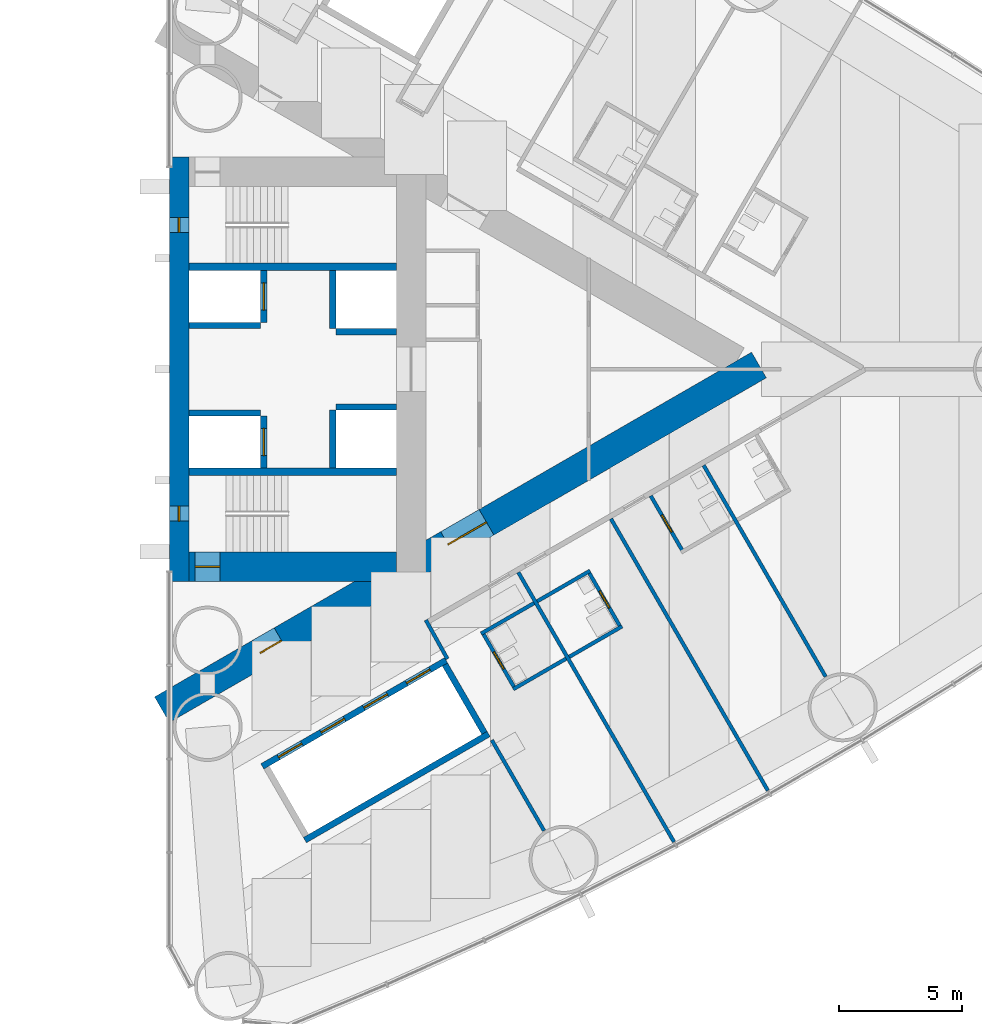
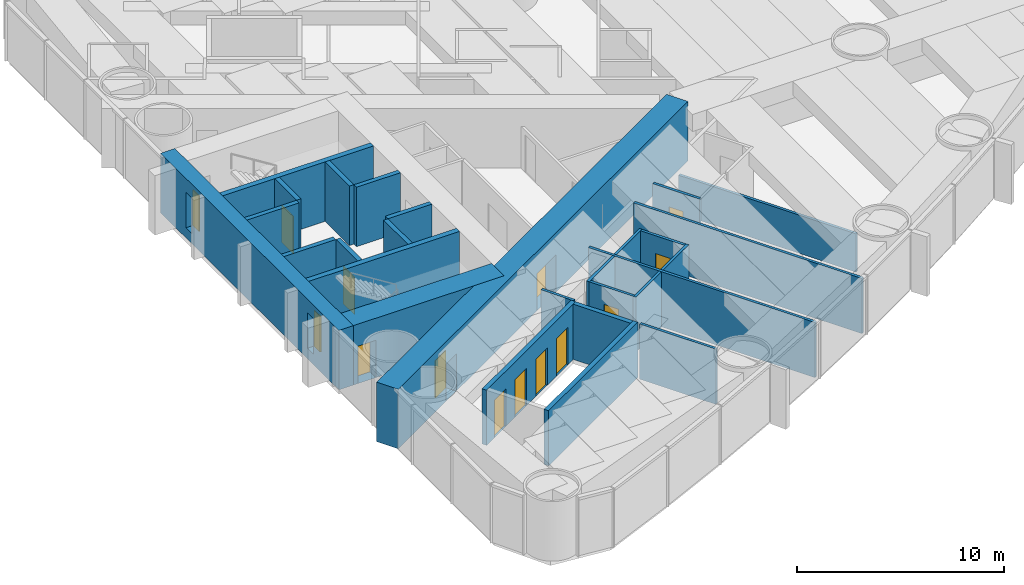
# One storey, part 14 of 19: 28 walls, 12 doors, 2 windows, 14 openings.
"""IFC4 building model written with IfcOpenShell, lengths in metres."""

import ifcopenshell
import ifcopenshell.guid

model = None  # the IFC model being written
_history = None  # IfcOwnerHistory: only IFC2X3 demands one
_inside = {}  # id of a spatial element -> (the spatial element, [elements in it])
_under = {}  # id of a project, library or spatial element -> (it, [spatial elements below it])
_declared = {}  # id of a project -> (the project, [libraries it declares])
_typed = {}  # id of a type object -> (the type object, [elements of that type])
_made_of = {}  # id of a material, layer set ... -> (it, [elements and type objects made of it])


def new_model(schema):
    """Start an empty IFC model of exactly this schema.

    Asked for "IFC4X3", IfcOpenShell would pick the latest addendum, in which some entities
    have other attributes; the version numbers below select the first issue.
    IFC2X3 requires an IfcOwnerHistory on every rooted entity: one is made here for all.
    """
    global model, _history
    if schema == "IFC4X3":
        model = ifcopenshell.file(schema_version=(4, 3, 0, 0))
    else:
        model = ifcopenshell.file(schema=schema)
    _inside.clear()
    _under.clear()
    _declared.clear()
    _typed.clear()
    _made_of.clear()
    _history = None
    if model.schema == "IFC2X3":
        org = make("IfcOrganization", Name="unknown")
        user = make(
            "IfcPersonAndOrganization",
            ThePerson=make("IfcPerson", FamilyName="unknown"),
            TheOrganization=org,
        )
        app = make(
            "IfcApplication",
            ApplicationDeveloper=org,
            Version="unknown",
            ApplicationFullName="unknown",
            ApplicationIdentifier="unknown",
        )
        _history = make(
            "IfcOwnerHistory",
            OwningUser=user,
            OwningApplication=app,
            ChangeAction="ADDED",
            CreationDate=0,
        )
    return model


def make(cls, **values):
    """One entity of the class cls with the attributes given. An attribute that is None is left unset."""
    return model.create_entity(
        cls, **{name: value for name, value in values.items() if value is not None}
    )


def rooted(cls, **values):
    """An entity with a GlobalId (a new one), such as an element, a storey or a relation."""
    return make(cls, GlobalId=ifcopenshell.guid.new(), OwnerHistory=_history, **values)


def si_unit(unit_type, name, prefix=None):
    """IfcSIUnit, for example si_unit("LENGTHUNIT", "METRE", prefix="MILLI")."""
    return make("IfcSIUnit", UnitType=unit_type, Prefix=prefix, Name=name)


def assignment(units):
    """IfcUnitAssignment: the units of a project."""
    return None if units is None else make("IfcUnitAssignment", Units=units)


def point(xyz):
    """IfcCartesianPoint."""
    return None if xyz is None else make("IfcCartesianPoint", Coordinates=xyz)


def direction(xyz):
    """IfcDirection."""
    return None if xyz is None else make("IfcDirection", DirectionRatios=xyz)


def frame(location, z_axis=None, x_axis=None):
    """IfcAxis2Placement3D, a coordinate frame: its origin and axes. An axis left out is left unset."""
    return make(
        "IfcAxis2Placement3D",
        Location=point(location),
        Axis=direction(z_axis),
        RefDirection=direction(x_axis),
    )


def frame_2d(location, x_axis=None):
    """IfcAxis2Placement2D, a coordinate frame in the plane: its origin and x axis."""
    return make(
        "IfcAxis2Placement2D", Location=point(location), RefDirection=direction(x_axis)
    )


def origin():
    """The frame at (0, 0, 0) with its axes left unset."""
    return frame((0.0, 0.0, 0.0))


def place(relative_to, where):
    """IfcLocalPlacement: puts the frame where relative to a parent placement (None: the world)."""
    return make(
        "IfcLocalPlacement", PlacementRelTo=relative_to, RelativePlacement=where
    )


def context(
    kind, dimensions, precision=None, world=None, true_north=None, identifier=None
):
    """IfcGeometricRepresentationContext, for example the 3D "Model" context."""
    return make(
        "IfcGeometricRepresentationContext",
        ContextIdentifier=identifier,
        ContextType=kind,
        CoordinateSpaceDimension=dimensions,
        Precision=precision,
        WorldCoordinateSystem=world,
        TrueNorth=true_north,
    )


def subcontext(parent, identifier, kind, view, scale=None):
    """IfcGeometricRepresentationSubContext, for example "Body" below "Model"."""
    return make(
        "IfcGeometricRepresentationSubContext",
        ContextIdentifier=identifier,
        ContextType=kind,
        ParentContext=parent,
        TargetScale=scale,
        TargetView=view,
    )


def project(units=None, contexts=None):
    """IfcProject with its units and contexts."""
    return rooted(
        "IfcProject",
        Name="project",
        RepresentationContexts=contexts,
        UnitsInContext=assignment(units),
    )


def spatial(cls, under=None, at=None, **own):
    """A site, building, storey or space (cls), placed at a placement, below another one or the project."""
    s = rooted(cls, ObjectPlacement=at, **own)
    if under is not None:
        _under.setdefault(under.id(), (under, []))[1].append(s)
    return s


def profile(cls, at=None, kind="AREA", **sizes):
    """A parametric profile (cls). Its sizes go by their IFC names, for example OverallWidth=200.0."""
    return make(cls, ProfileType=kind, Position=at, **sizes)


def rectangle(**sizes):
    """IfcRectangleProfileDef."""
    return profile("IfcRectangleProfileDef", **sizes)


def extrude(swept, where, along, depth):
    """IfcExtrudedAreaSolid: the profile swept, set in the frame where, extruded along a direction by depth."""
    return make(
        "IfcExtrudedAreaSolid",
        SweptArea=swept,
        Position=where,
        ExtrudedDirection=direction(along),
        Depth=depth,
    )


def shape(context_of_items, identifier, shape_type, items):
    """IfcShapeRepresentation: the items that make up one representation, for example the "Body"."""
    return make(
        "IfcShapeRepresentation",
        ContextOfItems=context_of_items,
        RepresentationIdentifier=identifier,
        RepresentationType=shape_type,
        Items=items,
    )


def material(Name=None, Category=None):
    """IfcMaterial."""
    return make("IfcMaterial", Name=Name, Category=Category)


def layer(
    of_material, thickness, ventilated=None, Name=None, Category=None, Priority=None
):
    """IfcMaterialLayer: one layer of a wall or slab, of a material (None: an air gap)."""
    return make(
        "IfcMaterialLayer",
        Material=of_material,
        LayerThickness=thickness,
        IsVentilated=ventilated,
        Name=Name,
        Category=Category,
        Priority=Priority,
    )


def layer_set(layers, Name=None):
    """IfcMaterialLayerSet."""
    return make("IfcMaterialLayerSet", MaterialLayers=layers, LayerSetName=Name)


def made_of(thing, what):
    """Note that an element or type object is made of a material, layer set ...; save() writes the relation."""
    if what is not None:
        _made_of.setdefault(what.id(), (what, []))[1].append(thing)
    return thing


def type_object(cls, material=None, **own):
    """A type object (cls), such as IfcWallType, which elements share."""
    return made_of(rooted(cls, **own), material)


def element(
    cls,
    number,
    at=None,
    inside=None,
    cuts=None,
    type_object=None,
    material=None,
    context=None,
    identifier="Body",
    shape_type=None,
    held_by="IfcProductDefinitionShape",
    body=None,
    shapes=None,
    **own,
):
    """One element of the class cls, such as IfcWall. Its Tag is "e" and its number.

    at: its placement. inside: the storey or other place that contains it. cuts: it is an
    opening in that element (IfcRelVoidsElement). A single representation is given by context,
    identifier, shape_type and body (its items); several are given by shapes. held_by: the class
    of the entity that holds the representations. save() writes the other relations.
    """
    e = rooted(cls, Tag="e%d" % number, ObjectPlacement=at, **own)
    if body is not None:
        shapes = [shape(context, identifier, shape_type, body)]
    if shapes is not None:
        e.Representation = make(held_by, Representations=shapes)
    if inside is not None:
        _inside.setdefault(inside.id(), (inside, []))[1].append(e)
    if cuts is not None:
        rooted(
            "IfcRelVoidsElement", RelatingBuildingElement=cuts, RelatedOpeningElement=e
        )
    if type_object is not None:
        _typed.setdefault(type_object.id(), (type_object, []))[1].append(e)
    return made_of(e, material)


def fill(opening, filler):
    """IfcRelFillsElement: the door or window that sits in an opening."""
    return rooted(
        "IfcRelFillsElement",
        RelatingOpeningElement=opening,
        RelatedBuildingElement=filler,
    )


def aggregate(whole, parts):
    """IfcRelAggregates: a whole, such as a stair, and the parts it consists of."""
    return rooted("IfcRelAggregates", RelatingObject=whole, RelatedObjects=parts)


def save(model, path):
    """Write the relations noted so far, then the file.

    IfcRelAggregates (storeys below a building ...), IfcRelContainedInSpatialStructure (elements
    in a storey), IfcRelDefinesByType, IfcRelAssociatesMaterial and IfcRelDeclares: one each for
    every whole, place, type object, material and project.
    """
    for whole, parts in _under.values():
        aggregate(whole, parts)
    for where, things in _inside.values():
        rooted(
            "IfcRelContainedInSpatialStructure",
            RelatedElements=things,
            RelatingStructure=where,
        )
    for kind, things in _typed.values():
        rooted("IfcRelDefinesByType", RelatedObjects=things, RelatingType=kind)
    for what, things in _made_of.values():
        rooted("IfcRelAssociatesMaterial", RelatedObjects=things, RelatingMaterial=what)
    for by, libraries in _declared.values():
        rooted("IfcRelDeclares", RelatingContext=by, RelatedDefinitions=libraries)
    model.write(path)


model = new_model("IFC4")

# Units and contexts
model_context = context("Model", 3, precision=1e-05, world=origin(), true_north=direction((0.0, 1.0)))
body_context = subcontext(model_context, "Body", "Model", "MODEL_VIEW")
ifc_project = project(units=[si_unit("LENGTHUNIT", "METRE"), si_unit("AREAUNIT", "SQUARE_METRE"), si_unit("VOLUMEUNIT", "CUBIC_METRE"), si_unit("PLANEANGLEUNIT", "RADIAN"), si_unit("MASSUNIT", "GRAM", prefix="KILO")], contexts=[model_context])

# Site, building, storey
site_placement = place(None, origin())
site = spatial("IfcSite", under=ifc_project, at=site_placement, CompositionType="ELEMENT")
building_placement = place(site_placement, origin())
building = spatial("IfcBuilding", under=site, at=building_placement, Name="Lancet Gate Hotel", CompositionType="ELEMENT")
storey_placement = place(building_placement, frame((0.0, 0.0, 32.0)))
storey = spatial("IfcBuildingStorey", under=building, at=storey_placement, Name="L07", CompositionType="ELEMENT", Elevation=32.0)

# Wall
ifc_material_1 = material(Name="Moisture resistant board partition")
ifc_layer_1 = layer(ifc_material_1, 0.14990234375)
ifc_layer_set_1 = layer_set([ifc_layer_1], Name="Bathroom wall 150")
wall_type_1 = type_object("IfcWallType", Name="Bathroom wall 150", PredefinedType="PARTITIONING", material=ifc_layer_set_1)
wall_1_placement = place(storey_placement, frame((43.71240234375, -11.65673828125, 0.0), z_axis=(0.0, 0.0, 1.0), x_axis=(0.866006523861, 0.500032699561, 0.0)))
element("IfcWall", 1, at=wall_1_placement, inside=storey, type_object=wall_type_1, Name="T2 bathroom wall 150 L07", PredefinedType="PARTITIONING", context=body_context, shape_type="SweptSolid", body=[
    extrude(rectangle(XDim=2.474853515625, YDim=0.14990234375, at=frame_2d((1.2373046875, 0.0))), origin(), (0.0, 0.0, 1.0), 3.25),
])

# Wall, opening, door
wall_2_placement = place(storey_placement, frame((44.49072265625, -8.205078125, 0.0), z_axis=(0.0, 0.0, 1.0), x_axis=(0.500047596559, -0.865997922154, 0.0)))
wall_2 = element("IfcWall", 2, at=wall_2_placement, inside=storey, type_object=wall_type_1, Name="T2 bathroom wall 150 L07", PredefinedType="PARTITIONING", context=body_context, shape_type="SweptSolid", body=[
    extrude(rectangle(XDim=2.599853515625, YDim=0.14990234375, at=frame_2d((1.2998046875, 0.0))), origin(), (0.0, 0.0, 1.0), 3.25),
])
opening_1_placement = place(wall_2_placement, frame((0.89990234375, 0.0, 0.0)))
opening_1 = element("IfcOpeningElement", 3, at=opening_1_placement, cuts=wall_2, Name="Opening 0754-B", PredefinedType="OPENING", context=body_context, shape_type="SweptSolid", body=[
    extrude(rectangle(XDim=0.800048828125, YDim=2.199951171875, at=frame_2d((0.39990234375, 1.10009765625))), frame((0.0, 0.0849609375, 0.0), z_axis=(0.0, -1.0, 0.0), x_axis=(1.0, 0.0, 0.0)), (0.0, 0.0, 1.0), 0.169921875),
])
ifc_material_2 = material(Name="Timber door set", Category="wood")
door_type_1 = type_object("IfcDoorType", Name="Bathroom door 800", OperationType="SINGLE_SWING_RIGHT", PredefinedType="DOOR", material=ifc_material_2)
door_1_placement = place(opening_1_placement, origin())
door_1 = element("IfcDoor", 4, at=door_1_placement, inside=storey, type_object=door_type_1, Name="0754-B", OperationType="SINGLE_SWING_RIGHT", OverallHeight=2.199951171875, OverallWidth=0.800048828125, PredefinedType="DOOR", context=body_context, shape_type="SweptSolid", body=[
    extrude(rectangle(XDim=0.800048828125, YDim=2.199951171875, at=frame_2d((0.39990234375, 1.10009765625))), frame((0.0, 0.02490234375, 0.0), z_axis=(0.0, -1.0, 0.0), x_axis=(1.0, 0.0, 0.0)), (0.0, 0.0, 1.0), 0.050048828125),
])
fill(opening_1, door_1)

# Wall
wall_3_placement = place(storey_placement, frame((42.412353515625, -9.405029296875, 0.0), z_axis=(0.0, 0.0, 1.0), x_axis=(0.866006523861, 0.500032699561, 0.0)))
element("IfcWall", 5, at=wall_3_placement, inside=storey, type_object=wall_type_1, Name="T2 bathroom wall 150 L07", PredefinedType="PARTITIONING", context=body_context, shape_type="SweptSolid", body=[
    extrude(rectangle(XDim=2.474853515625, YDim=0.14990234375, at=frame_2d((1.2373046875, 0.0))), origin(), (0.0, 0.0, 1.0), 3.25),
])

# Wall, opening, door
wall_4_placement = place(storey_placement, frame((47.01611328125, -5.13037109375, 0.0), z_axis=(0.0, 0.0, 1.0), x_axis=(0.500006934395, -0.866021400173, 0.0)))
wall_4 = element("IfcWall", 6, at=wall_4_placement, inside=storey, type_object=wall_type_1, Name="T2 bathroom wall 150 L07", PredefinedType="PARTITIONING", context=body_context, shape_type="SweptSolid", body=[
    extrude(rectangle(XDim=2.60009765625, YDim=0.14990234375, at=frame_2d((1.300048828125, 0.0))), origin(), (0.0, 0.0, 1.0), 3.25),
])
opening_2_placement = place(wall_4_placement, frame((0.89990234375, 0.0, 0.0)))
opening_2 = element("IfcOpeningElement", 7, at=opening_2_placement, cuts=wall_4, Name="Opening 0755-B", PredefinedType="OPENING", context=body_context, shape_type="SweptSolid", body=[
    extrude(rectangle(XDim=0.800048828125, YDim=2.199951171875, at=frame_2d((0.39990234375, 1.10009765625))), frame((0.0, 0.0849609375, 0.0), z_axis=(0.0, -1.0, 0.0), x_axis=(1.0, 0.0, 0.0)), (0.0, 0.0, 1.0), 0.169921875),
])
door_2_placement = place(opening_2_placement, origin())
door_2 = element("IfcDoor", 8, at=door_2_placement, inside=storey, type_object=door_type_1, Name="0755-B", OperationType="SINGLE_SWING_RIGHT", OverallHeight=2.199951171875, OverallWidth=0.800048828125, PredefinedType="DOOR", context=body_context, shape_type="SweptSolid", body=[
    extrude(rectangle(XDim=0.800048828125, YDim=2.199951171875, at=frame_2d((0.39990234375, 1.10009765625))), frame((0.0, 0.02490234375, 0.0), z_axis=(0.0, -1.0, 0.0), x_axis=(1.0, 0.0, 0.0)), (0.0, 0.0, 1.0), 0.050048828125),
])
fill(opening_2, door_2)

# Wall
wall_5_placement = place(storey_placement, frame((41.43896484375, -12.96923828125, 0.0), z_axis=(0.0, 0.0, 1.0), x_axis=(0.866031185235, 0.4999899861, 0.0)))
element("IfcWall", 9, at=wall_5_placement, inside=storey, type_object=wall_type_1, Name="T2 bathroom wall 150 L07", PredefinedType="PARTITIONING", context=body_context, shape_type="SweptSolid", body=[
    extrude(rectangle(XDim=2.47509765625, YDim=0.14990234375, at=frame_2d((1.237548828125, 0.0))), origin(), (0.0, 0.0, 1.0), 3.25),
])

# Wall, opening, door
wall_6_placement = place(storey_placement, frame((40.203857421875, -10.679931640625, 0.0), z_axis=(0.0, 0.0, 1.0), x_axis=(0.500006934395, -0.866021400173, 0.0)))
wall_6 = element("IfcWall", 10, at=wall_6_placement, inside=storey, type_object=wall_type_1, Name="T2 bathroom wall 150 L07", PredefinedType="PARTITIONING", context=body_context, shape_type="SweptSolid", body=[
    extrude(rectangle(XDim=2.60009765625, YDim=0.14990234375, at=frame_2d((1.300048828125, 0.0))), origin(), (0.0, 0.0, 1.0), 3.25),
])
opening_3_placement = place(wall_6_placement, frame((0.89990234375, 0.0, 0.0)))
opening_3 = element("IfcOpeningElement", 11, at=opening_3_placement, cuts=wall_6, Name="Opening 0753-B", PredefinedType="OPENING", context=body_context, shape_type="SweptSolid", body=[
    extrude(rectangle(XDim=0.800048828125, YDim=2.199951171875, at=frame_2d((0.39990234375, 1.10009765625))), frame((0.0, 0.0849609375, 0.0), z_axis=(0.0, -1.0, 0.0), x_axis=(1.0, 0.0, 0.0)), (0.0, 0.0, 1.0), 0.169921875),
])
door_3_placement = place(opening_3_placement, origin())
door_3 = element("IfcDoor", 12, at=door_3_placement, inside=storey, type_object=door_type_1, Name="0753-B", OperationType="SINGLE_SWING_RIGHT", OverallHeight=2.199951171875, OverallWidth=0.800048828125, PredefinedType="DOOR", context=body_context, shape_type="SweptSolid", body=[
    extrude(rectangle(XDim=0.800048828125, YDim=2.199951171875, at=frame_2d((0.39990234375, 1.10009765625))), frame((0.0, 0.02490234375, 0.0), z_axis=(0.0, -1.0, 0.0), x_axis=(1.0, 0.0, 0.0)), (0.0, 0.0, 1.0), 0.050048828125),
])
fill(opening_3, door_3)

# Wall
wall_7_placement = place(storey_placement, frame((40.138916015625, -10.717529296875, 0.0), z_axis=(0.0, 0.0, 1.0), x_axis=(0.866031185235, 0.4999899861, 0.0)))
element("IfcWall", 13, at=wall_7_placement, inside=storey, type_object=wall_type_1, Name="T2 bathroom wall 150 L07", PredefinedType="PARTITIONING", context=body_context, shape_type="SweptSolid", body=[
    extrude(rectangle(XDim=2.47509765625, YDim=0.14990234375, at=frame_2d((1.237548828125, 0.0))), origin(), (0.0, 0.0, 1.0), 3.25),
])

# Wall, openings, doors
ifc_material_3 = material(Name="Concrete C70/85", Category="concrete")
ifc_layer_2 = layer(ifc_material_3, 1.199951171875)
ifc_layer_set_2 = layer_set([ifc_layer_2], Name="Buttress wall 1200")
wall_type_2 = type_object("IfcWallType", Name="Buttress wall 1200", PredefinedType="SHEAR", material=ifc_layer_set_2)
wall_8_placement = place(storey_placement, frame((27.199951171875, -13.800048828125, 0.0), z_axis=(0.0, 0.0, 1.0), x_axis=(0.866027159892, 0.499996958321, 0.0)))
wall_8 = element("IfcWall", 14, at=wall_8_placement, inside=storey, type_object=wall_type_2, Name="T2 buttress wall S L07", PredefinedType="SHEAR", context=body_context, shape_type="SweptSolid", body=[
    extrude(rectangle(XDim=27.946533203125, YDim=1.199951171875, at=frame_2d((13.97314453125, 0.0))), origin(), (0.0, 0.0, 1.0), 3.5),
])
opening_4_placement = place(wall_8_placement, frame((4.60009765625, 0.0, 0.0)))
opening_4 = element("IfcOpeningElement", 15, at=opening_4_placement, cuts=wall_8, Name="Opening T2-L07-LS", PredefinedType="OPENING", context=body_context, shape_type="SweptSolid", body=[
    extrude(rectangle(XDim=1.0, YDim=2.199951171875, at=frame_2d((0.5, 1.10009765625))), frame((0.0, 0.60986328125, 0.0), z_axis=(0.0, -1.0, 0.0), x_axis=(1.0, 0.0, 0.0)), (0.0, 0.0, 1.0), 1.219970703125),
])
opening_5_placement = place(wall_8_placement, frame((13.39453125, 0.0, 0.0)))
opening_5 = element("IfcOpeningElement", 16, at=opening_5_placement, cuts=wall_8, Name="Opening T2-L07-LHS", PredefinedType="OPENING", context=body_context, shape_type="SweptSolid", body=[
    extrude(rectangle(XDim=1.800048828125, YDim=2.199951171875, at=frame_2d((0.89990234375, 1.10009765625))), frame((0.0, 0.60986328125, 0.0), z_axis=(0.0, -1.0, 0.0), x_axis=(1.0, 0.0, 0.0)), (0.0, 0.0, 1.0), 1.219970703125),
])
ifc_material_4 = material(Name="Timber door set", Category="wood")
door_type_2 = type_object("IfcDoorType", Name="Lobby double door 1800", OperationType="DOUBLE_DOOR_SINGLE_SWING", PredefinedType="DOOR", material=ifc_material_4)
door_4_placement = place(opening_5_placement, origin())
door_4 = element("IfcDoor", 17, at=door_4_placement, inside=storey, type_object=door_type_2, Name="T2-L07-LHS", OperationType="DOUBLE_DOOR_SINGLE_SWING", OverallHeight=2.199951171875, OverallWidth=1.800048828125, PredefinedType="DOOR", context=body_context, shape_type="SweptSolid", body=[
    extrude(rectangle(XDim=1.800048828125, YDim=2.199951171875, at=frame_2d((0.89990234375, 1.10009765625))), frame((0.0, 0.02490234375, 0.0), z_axis=(0.0, -1.0, 0.0), x_axis=(1.0, 0.0, 0.0)), (0.0, 0.0, 1.0), 0.050048828125),
])
fill(opening_5, door_4)
ifc_material_5 = material(Name="Timber door set", Category="wood")
door_type_3 = type_object("IfcDoorType", Name="Stair lobby door 1000", OperationType="SINGLE_SWING_LEFT", PredefinedType="DOOR", material=ifc_material_5)
door_5_placement = place(opening_4_placement, origin())
door_5 = element("IfcDoor", 18, at=door_5_placement, inside=storey, type_object=door_type_3, Name="T2-L07-LS", OperationType="SINGLE_SWING_LEFT", OverallHeight=2.199951171875, OverallWidth=1.0, PredefinedType="DOOR", context=body_context, shape_type="SweptSolid", body=[
    extrude(rectangle(XDim=1.0, YDim=2.199951171875, at=frame_2d((0.5, 1.10009765625))), frame((0.0, 0.02490234375, 0.0), z_axis=(0.0, -1.0, 0.0), x_axis=(1.0, 0.0, 0.0)), (0.0, 0.0, 1.0), 0.050048828125),
])
fill(opening_4, door_5)

# Wall, opening, door
ifc_material_6 = material(Name="Concrete C70/85", Category="concrete")
ifc_layer_3 = layer(ifc_material_6, 1.199951171875)
ifc_layer_set_3 = layer_set([ifc_layer_3], Name="Core wall 1200")
wall_type_3 = type_object("IfcWallType", Name="Core wall 1200", PredefinedType="SHEAR", material=ifc_layer_set_3)
wall_9_placement = place(storey_placement, frame((28.300048828125, -8.0, 0.0), z_axis=(0.0, 0.0, 1.0), x_axis=(1.0, 0.0, 0.0)))
wall_9 = element("IfcWall", 19, at=wall_9_placement, inside=storey, type_object=wall_type_3, Name="T2 core wall side-S L07", PredefinedType="SHEAR", context=body_context, shape_type="SweptSolid", body=[
    extrude(rectangle(XDim=8.39990234375, YDim=1.199951171875, at=frame_2d((4.199951171875, 0.0))), origin(), (0.0, 0.0, 1.0), 3.5),
])
opening_6_placement = place(wall_9_placement, frame((0.25, 0.0, 0.0)))
opening_6 = element("IfcOpeningElement", 20, at=opening_6_placement, cuts=wall_9, Name="Opening T2-L07-ST1", PredefinedType="OPENING", context=body_context, shape_type="SweptSolid", body=[
    extrude(rectangle(XDim=1.0, YDim=2.199951171875, at=frame_2d((0.5, 1.10009765625))), frame((0.0, 0.60986328125, 0.0), z_axis=(0.0, -1.0, 0.0), x_axis=(1.0, 0.0, 0.0)), (0.0, 0.0, 1.0), 1.219970703125),
])
ifc_material_7 = material(Name="Timber door set", Category="wood")
door_type_4 = type_object("IfcDoorType", Name="Stair door 1000", OperationType="SINGLE_SWING_RIGHT", PredefinedType="DOOR", material=ifc_material_7)
door_6_placement = place(opening_6_placement, origin())
door_6 = element("IfcDoor", 21, at=door_6_placement, inside=storey, type_object=door_type_4, Name="T2-L07-ST1", OperationType="SINGLE_SWING_RIGHT", OverallHeight=2.199951171875, OverallWidth=1.0, PredefinedType="DOOR", context=body_context, shape_type="SweptSolid", body=[
    extrude(rectangle(XDim=1.0, YDim=2.199951171875, at=frame_2d((0.5, 1.10009765625))), frame((0.0, 0.02490234375, 0.0), z_axis=(0.0, -1.0, 0.0), x_axis=(1.0, 0.0, 0.0)), (0.0, 0.0, 1.0), 0.050048828125),
])
fill(opening_6, door_6)

# Wall, openings, windows
ifc_material_8 = material(Name="Concrete C70/85", Category="concrete")
ifc_layer_4 = layer(ifc_material_8, 0.800048828125)
ifc_layer_set_4 = layer_set([ifc_layer_4], Name="Core wall 800")
wall_type_4 = type_object("IfcWallType", Name="Core wall 800", PredefinedType="SHEAR", material=ifc_layer_set_4)
wall_10_placement = place(storey_placement, frame((27.89990234375, -8.60009765625, 0.0), z_axis=(0.0, 0.0, 1.0), x_axis=(0.0, 1.0, 0.0)))
wall_10 = element("IfcWall", 22, at=wall_10_placement, inside=storey, type_object=wall_type_4, Name="T2 core wall front L07", PredefinedType="SHEAR", context=body_context, shape_type="SweptSolid", body=[
    extrude(rectangle(XDim=17.2001953125, YDim=0.800048828125, at=frame_2d((8.60009765625, 0.0))), origin(), (0.0, 0.0, 1.0), 3.5),
])
opening_7_placement = place(wall_10_placement, frame((2.449951171875, 0.0, 0.60009765625)))
opening_7 = element("IfcOpeningElement", 23, at=opening_7_placement, cuts=wall_10, Name="Opening LW1", PredefinedType="OPENING", context=body_context, shape_type="SweptSolid", body=[
    extrude(rectangle(XDim=0.60009765625, YDim=2.10009765625, at=frame_2d((0.300048828125, 1.050048828125))), frame((0.0, 0.409912109375, 0.0), z_axis=(0.0, -1.0, 0.0), x_axis=(1.0, 0.0, 0.0)), (0.0, 0.0, 1.0), 0.820068359375),
])
opening_8_placement = place(wall_10_placement, frame((14.14990234375, 0.0, 0.60009765625)))
opening_8 = element("IfcOpeningElement", 24, at=opening_8_placement, cuts=wall_10, Name="Opening LW1", PredefinedType="OPENING", context=body_context, shape_type="SweptSolid", body=[
    extrude(rectangle(XDim=0.60009765625, YDim=2.10009765625, at=frame_2d((0.300048828125, 1.050048828125))), frame((0.0, 0.409912109375, 0.0), z_axis=(0.0, -1.0, 0.0), x_axis=(1.0, 0.0, 0.0)), (0.0, 0.0, 1.0), 0.820068359375),
])
ifc_material_9 = material(Name="Fire-resisting glazed steel window", Category="steel")
window_type = type_object("IfcWindowType", Name="Lancet window 600x2100", PartitioningType="SINGLE_PANEL", PredefinedType="WINDOW", material=ifc_material_9)
window_1_placement = place(opening_7_placement, origin())
window_1 = element("IfcWindow", 25, at=window_1_placement, inside=storey, type_object=window_type, Name="T2 stair window S L07", OverallHeight=2.10009765625, OverallWidth=0.60009765625, PartitioningType="SINGLE_PANEL", PredefinedType="WINDOW", context=body_context, shape_type="SweptSolid", body=[
    extrude(rectangle(XDim=0.60009765625, YDim=2.10009765625, at=frame_2d((0.300048828125, 1.050048828125))), frame((0.0, 0.030029296875, 0.0), z_axis=(0.0, -1.0, 0.0), x_axis=(1.0, 0.0, 0.0)), (0.0, 0.0, 1.0), 0.06005859375),
])
fill(opening_7, window_1)
window_2_placement = place(opening_8_placement, origin())
window_2 = element("IfcWindow", 26, at=window_2_placement, inside=storey, type_object=window_type, Name="T2 stair window N L07", OverallHeight=2.10009765625, OverallWidth=0.60009765625, PartitioningType="SINGLE_PANEL", PredefinedType="WINDOW", context=body_context, shape_type="SweptSolid", body=[
    extrude(rectangle(XDim=0.60009765625, YDim=2.10009765625, at=frame_2d((0.300048828125, 1.050048828125))), frame((0.0, 0.030029296875, 0.0), z_axis=(0.0, -1.0, 0.0), x_axis=(1.0, 0.0, 0.0)), (0.0, 0.0, 1.0), 0.06005859375),
])
fill(opening_8, window_2)

# Wall, openings, doors
ifc_material_10 = material(Name="Gypsum board partition")
ifc_layer_5 = layer(ifc_material_10, 0.25)
ifc_layer_set_5 = layer_set([ifc_layer_5], Name="Lift shaft partition 250")
wall_type_5 = type_object("IfcWallType", Name="Lift shaft partition 250", PredefinedType="PARTITIONING", material=ifc_layer_set_5)
wall_11_placement = place(storey_placement, frame((31.2705078125, -16.09716796875, 0.0), z_axis=(0.0, 0.0, 1.0), x_axis=(0.86604045752, 0.499973925258, 0.0)))
wall_11 = element("IfcWall", 27, at=wall_11_placement, inside=storey, type_object=wall_type_5, Name="T2 lift shaft wall LR L07", PredefinedType="PARTITIONING", context=body_context, shape_type="SweptSolid", body=[
    extrude(rectangle(XDim=8.60009765625, YDim=0.25, at=frame_2d((4.300048828125, 0.0))), origin(), (0.0, 0.0, 1.0), 3.25),
])
opening_9_placement = place(wall_11_placement, frame((0.75, 0.0, 0.0)))
opening_9 = element("IfcOpeningElement", 28, at=opening_9_placement, cuts=wall_11, Name="Opening T2-LR1-L07", PredefinedType="OPENING", context=body_context, shape_type="SweptSolid", body=[
    extrude(rectangle(XDim=1.10009765625, YDim=2.199951171875, at=frame_2d((0.550048828125, 1.10009765625))), frame((0.0, 0.135009765625, 0.0), z_axis=(0.0, -1.0, 0.0), x_axis=(1.0, 0.0, 0.0)), (0.0, 0.0, 1.0), 0.27001953125),
])
opening_10_placement = place(wall_11_placement, frame((2.75, 0.0, 0.0)))
opening_10 = element("IfcOpeningElement", 29, at=opening_10_placement, cuts=wall_11, Name="Opening T2-LR2-L07", PredefinedType="OPENING", context=body_context, shape_type="SweptSolid", body=[
    extrude(rectangle(XDim=1.10009765625, YDim=2.199951171875, at=frame_2d((0.550048828125, 1.10009765625))), frame((0.0, 0.135009765625, 0.0), z_axis=(0.0, -1.0, 0.0), x_axis=(1.0, 0.0, 0.0)), (0.0, 0.0, 1.0), 0.27001953125),
])
opening_11_placement = place(wall_11_placement, frame((4.75, 0.0, 0.0)))
opening_11 = element("IfcOpeningElement", 30, at=opening_11_placement, cuts=wall_11, Name="Opening T2-LR3-L07", PredefinedType="OPENING", context=body_context, shape_type="SweptSolid", body=[
    extrude(rectangle(XDim=1.10009765625, YDim=2.199951171875, at=frame_2d((0.550048828125, 1.10009765625))), frame((0.0, 0.135009765625, 0.0), z_axis=(0.0, -1.0, 0.0), x_axis=(1.0, 0.0, 0.0)), (0.0, 0.0, 1.0), 0.27001953125),
])
opening_12_placement = place(wall_11_placement, frame((6.75, 0.0, 0.0)))
opening_12 = element("IfcOpeningElement", 31, at=opening_12_placement, cuts=wall_11, Name="Opening T2-LR4-L07", PredefinedType="OPENING", context=body_context, shape_type="SweptSolid", body=[
    extrude(rectangle(XDim=1.10009765625, YDim=2.199951171875, at=frame_2d((0.550048828125, 1.10009765625))), frame((0.0, 0.135009765625, 0.0), z_axis=(0.0, -1.0, 0.0), x_axis=(1.0, 0.0, 0.0)), (0.0, 0.0, 1.0), 0.27001953125),
])
ifc_material_11 = material(Name="Steel door set", Category="steel")
door_type_5 = type_object("IfcDoorType", Name="Lift landing door 1100", OperationType="DOUBLE_DOOR_SLIDING", PredefinedType="USERDEFINED", material=ifc_material_11)
door_7_placement = place(opening_9_placement, origin())
door_7 = element("IfcDoor", 32, at=door_7_placement, inside=storey, type_object=door_type_5, Name="T2-LR1-L07", ObjectType="LIFT LANDING DOOR", OperationType="DOUBLE_DOOR_SLIDING", OverallHeight=2.199951171875, OverallWidth=1.10009765625, PredefinedType="USERDEFINED", context=body_context, shape_type="SweptSolid", body=[
    extrude(rectangle(XDim=1.10009765625, YDim=2.199951171875, at=frame_2d((0.550048828125, 1.10009765625))), frame((0.0, 0.02490234375, 0.0), z_axis=(0.0, -1.0, 0.0), x_axis=(1.0, 0.0, 0.0)), (0.0, 0.0, 1.0), 0.050048828125),
])
fill(opening_9, door_7)
door_8_placement = place(opening_10_placement, origin())
door_8 = element("IfcDoor", 33, at=door_8_placement, inside=storey, type_object=door_type_5, Name="T2-LR2-L07", ObjectType="LIFT LANDING DOOR", OperationType="DOUBLE_DOOR_SLIDING", OverallHeight=2.199951171875, OverallWidth=1.10009765625, PredefinedType="USERDEFINED", context=body_context, shape_type="SweptSolid", body=[
    extrude(rectangle(XDim=1.10009765625, YDim=2.199951171875, at=frame_2d((0.550048828125, 1.10009765625))), frame((0.0, 0.02490234375, 0.0), z_axis=(0.0, -1.0, 0.0), x_axis=(1.0, 0.0, 0.0)), (0.0, 0.0, 1.0), 0.050048828125),
])
fill(opening_10, door_8)
door_9_placement = place(opening_11_placement, origin())
door_9 = element("IfcDoor", 34, at=door_9_placement, inside=storey, type_object=door_type_5, Name="T2-LR3-L07", ObjectType="LIFT LANDING DOOR", OperationType="DOUBLE_DOOR_SLIDING", OverallHeight=2.199951171875, OverallWidth=1.10009765625, PredefinedType="USERDEFINED", context=body_context, shape_type="SweptSolid", body=[
    extrude(rectangle(XDim=1.10009765625, YDim=2.199951171875, at=frame_2d((0.550048828125, 1.10009765625))), frame((0.0, 0.02490234375, 0.0), z_axis=(0.0, -1.0, 0.0), x_axis=(1.0, 0.0, 0.0)), (0.0, 0.0, 1.0), 0.050048828125),
])
fill(opening_11, door_9)
door_10_placement = place(opening_12_placement, origin())
door_10 = element("IfcDoor", 35, at=door_10_placement, inside=storey, type_object=door_type_5, Name="T2-LR4-L07", ObjectType="LIFT LANDING DOOR", OperationType="DOUBLE_DOOR_SLIDING", OverallHeight=2.199951171875, OverallWidth=1.10009765625, PredefinedType="USERDEFINED", context=body_context, shape_type="SweptSolid", body=[
    extrude(rectangle(XDim=1.10009765625, YDim=2.199951171875, at=frame_2d((0.550048828125, 1.10009765625))), frame((0.0, 0.02490234375, 0.0), z_axis=(0.0, -1.0, 0.0), x_axis=(1.0, 0.0, 0.0)), (0.0, 0.0, 1.0), 0.050048828125),
])
fill(opening_12, door_10)

# Walls
wall_12_placement = place(storey_placement, frame((32.99560546875, -19.085693359375, 0.0), z_axis=(0.0, 0.0, 1.0), x_axis=(0.866028165386, 0.499995216735, 0.0)))
element("IfcWall", 36, at=wall_12_placement, inside=storey, type_object=wall_type_5, Name="T2 lift shaft wall LR L07", PredefinedType="PARTITIONING", context=body_context, shape_type="SweptSolid", body=[
    extrude(rectangle(XDim=8.60009765625, YDim=0.25, at=frame_2d((4.300048828125, 0.0))), origin(), (0.0, 0.0, 1.0), 3.25),
])
wall_13_placement = place(storey_placement, frame((38.672607421875, -11.968017578125, 0.0), z_axis=(0.0, 0.0, 1.0), x_axis=(0.499929347863, -0.866066190972, 0.0)))
element("IfcWall", 37, at=wall_13_placement, inside=storey, type_object=wall_type_5, Name="T2 lift shaft wall LR L07", PredefinedType="PARTITIONING", context=body_context, shape_type="SweptSolid", body=[
    extrude(rectangle(XDim=3.20068359375, YDim=0.25, at=frame_2d((1.600341796875, 0.0))), origin(), (0.0, 0.0, 1.0), 3.25),
])

# Wall, opening, door
ifc_material_12 = material(Name="Concrete C50/60", Category="concrete")
ifc_layer_6 = layer(ifc_material_12, 0.25)
ifc_layer_set_6 = layer_set([ifc_layer_6], Name="Lift shaft wall 250")
wall_type_6 = type_object("IfcWallType", Name="Lift shaft wall 250", PredefinedType="SHEAR", material=ifc_layer_set_6)
wall_14_placement = place(storey_placement, frame((31.324951171875, -4.0, 0.0), z_axis=(0.0, 0.0, 1.0), x_axis=(0.0, 1.0, 0.0)))
wall_14 = element("IfcWall", 38, at=wall_14_placement, inside=storey, type_object=wall_type_6, Name="T2 core wall row1-S L07", PredefinedType="SHEAR", context=body_context, shape_type="SweptSolid", body=[
    extrude(rectangle(XDim=2.10009765625, YDim=0.25, at=frame_2d((1.050048828125, 0.0))), origin(), (0.0, 0.0, 1.0), 3.5),
])
opening_13_placement = place(wall_14_placement, frame((0.5, 0.0, 0.0)))
opening_13 = element("IfcOpeningElement", 39, at=opening_13_placement, cuts=wall_14, Name="Opening T2-SL1-L07", PredefinedType="OPENING", context=body_context, shape_type="SweptSolid", body=[
    extrude(rectangle(XDim=1.10009765625, YDim=2.199951171875, at=frame_2d((0.550048828125, 1.10009765625))), frame((0.0, 0.135009765625, 0.0), z_axis=(0.0, -1.0, 0.0), x_axis=(1.0, 0.0, 0.0)), (0.0, 0.0, 1.0), 0.27001953125),
])
ifc_material_13 = material(Name="Timber door set", Category="wood")
door_type_6 = type_object("IfcDoorType", Name="Service lift landing door 1100", OperationType="SLIDING_TO_LEFT", PredefinedType="USERDEFINED", material=ifc_material_13)
door_11_placement = place(opening_13_placement, origin())
door_11 = element("IfcDoor", 40, at=door_11_placement, inside=storey, type_object=door_type_6, Name="T2-SL1-L07", ObjectType="LIFT LANDING DOOR", OperationType="SLIDING_TO_LEFT", OverallHeight=2.199951171875, OverallWidth=1.10009765625, PredefinedType="USERDEFINED", context=body_context, shape_type="SweptSolid", body=[
    extrude(rectangle(XDim=1.10009765625, YDim=2.199951171875, at=frame_2d((0.550048828125, 1.10009765625))), frame((0.0, 0.02490234375, 0.0), z_axis=(0.0, -1.0, 0.0), x_axis=(1.0, 0.0, 0.0)), (0.0, 0.0, 1.0), 0.050048828125),
])
fill(opening_13, door_11)

# Walls
wall_15_placement = place(storey_placement, frame((34.125, -4.0, 0.0), z_axis=(0.0, 0.0, 1.0), x_axis=(0.0, 1.0, 0.0)))
element("IfcWall", 41, at=wall_15_placement, inside=storey, type_object=wall_type_6, Name="T2 core wall row2-S L07", PredefinedType="SHEAR", context=body_context, shape_type="SweptSolid", body=[
    extrude(rectangle(XDim=2.35009765625, YDim=0.25, at=frame_2d((1.175048828125, 0.0))), origin(), (0.0, 0.0, 1.0), 3.5),
])
wall_16_placement = place(storey_placement, frame((28.300048828125, -1.77490234375, 0.0), z_axis=(0.0, 0.0, 1.0), x_axis=(1.0, 0.0, 0.0)))
element("IfcWall", 42, at=wall_16_placement, inside=storey, type_object=wall_type_6, Name="T2 core wall pass1-S L07", PredefinedType="SHEAR", context=body_context, shape_type="SweptSolid", body=[
    extrude(rectangle(XDim=2.89990234375, YDim=0.25, at=frame_2d((1.449951171875, 0.0))), origin(), (0.0, 0.0, 1.0), 3.5),
])
wall_17_placement = place(storey_placement, frame((34.25, -1.52490234375, 0.0), z_axis=(0.0, 0.0, 1.0), x_axis=(1.0, 0.0, 0.0)))
element("IfcWall", 43, at=wall_17_placement, inside=storey, type_object=wall_type_6, Name="T2 core wall pass2-S L07", PredefinedType="SHEAR", context=body_context, shape_type="SweptSolid", body=[
    extrude(rectangle(XDim=2.449951171875, YDim=0.25, at=frame_2d((1.22509765625, 0.0))), origin(), (0.0, 0.0, 1.0), 3.5),
])

# Wall, opening, door
wall_18_placement = place(storey_placement, frame((31.324951171875, 1.89990234375, 0.0), z_axis=(0.0, 0.0, 1.0), x_axis=(0.0, 1.0, 0.0)))
wall_18 = element("IfcWall", 44, at=wall_18_placement, inside=storey, type_object=wall_type_6, Name="T2 core wall row1-N L07", PredefinedType="SHEAR", context=body_context, shape_type="SweptSolid", body=[
    extrude(rectangle(XDim=2.10009765625, YDim=0.25, at=frame_2d((1.050048828125, 0.0))), origin(), (0.0, 0.0, 1.0), 3.5),
])
opening_14_placement = place(wall_18_placement, frame((0.5, 0.0, 0.0)))
opening_14 = element("IfcOpeningElement", 45, at=opening_14_placement, cuts=wall_18, Name="Opening T2-FL2-L07", PredefinedType="OPENING", context=body_context, shape_type="SweptSolid", body=[
    extrude(rectangle(XDim=1.10009765625, YDim=2.199951171875, at=frame_2d((0.550048828125, 1.10009765625))), frame((0.0, 0.135009765625, 0.0), z_axis=(0.0, -1.0, 0.0), x_axis=(1.0, 0.0, 0.0)), (0.0, 0.0, 1.0), 0.27001953125),
])
ifc_material_14 = material(Name="Steel door set", Category="steel")
door_type_7 = type_object("IfcDoorType", Name="Firefighting lift landing door 1100", OperationType="SLIDING_TO_LEFT", PredefinedType="USERDEFINED", material=ifc_material_14)
door_12_placement = place(opening_14_placement, origin())
door_12 = element("IfcDoor", 46, at=door_12_placement, inside=storey, type_object=door_type_7, Name="T2-FL2-L07", ObjectType="LIFT LANDING DOOR", OperationType="SLIDING_TO_LEFT", OverallHeight=2.199951171875, OverallWidth=1.10009765625, PredefinedType="USERDEFINED", context=body_context, shape_type="SweptSolid", body=[
    extrude(rectangle(XDim=1.10009765625, YDim=2.199951171875, at=frame_2d((0.550048828125, 1.10009765625))), frame((0.0, 0.02490234375, 0.0), z_axis=(0.0, -1.0, 0.0), x_axis=(1.0, 0.0, 0.0)), (0.0, 0.0, 1.0), 0.050048828125),
])
fill(opening_14, door_12)

# Walls
wall_19_placement = place(storey_placement, frame((34.125, 1.64990234375, 0.0), z_axis=(0.0, 0.0, 1.0), x_axis=(0.0, 1.0, 0.0)))
element("IfcWall", 47, at=wall_19_placement, inside=storey, type_object=wall_type_6, Name="T2 core wall row2-N L07", PredefinedType="SHEAR", context=body_context, shape_type="SweptSolid", body=[
    extrude(rectangle(XDim=2.35009765625, YDim=0.25, at=frame_2d((1.175048828125, 0.0))), origin(), (0.0, 0.0, 1.0), 3.5),
])
wall_20_placement = place(storey_placement, frame((28.300048828125, 1.77490234375, 0.0), z_axis=(0.0, 0.0, 1.0), x_axis=(1.0, 0.0, 0.0)))
element("IfcWall", 48, at=wall_20_placement, inside=storey, type_object=wall_type_6, Name="T2 core wall pass1-N L07", PredefinedType="SHEAR", context=body_context, shape_type="SweptSolid", body=[
    extrude(rectangle(XDim=2.89990234375, YDim=0.25, at=frame_2d((1.449951171875, 0.0))), origin(), (0.0, 0.0, 1.0), 3.5),
])
wall_21_placement = place(storey_placement, frame((34.25, 1.52490234375, 0.0), z_axis=(0.0, 0.0, 1.0), x_axis=(1.0, 0.0, 0.0)))
element("IfcWall", 49, at=wall_21_placement, inside=storey, type_object=wall_type_6, Name="T2 core wall pass2-N L07", PredefinedType="SHEAR", context=body_context, shape_type="SweptSolid", body=[
    extrude(rectangle(XDim=2.449951171875, YDim=0.25, at=frame_2d((1.22509765625, 0.0))), origin(), (0.0, 0.0, 1.0), 3.5),
])
ifc_material_15 = material(Name="Gypsum board partition")
ifc_layer_7 = layer(ifc_material_15, 0.14990234375)
ifc_layer_set_7 = layer_set([ifc_layer_7], Name="Party wall 150")
wall_type_7 = type_object("IfcWallType", Name="Party wall 150", PredefinedType="PARTITIONING", material=ifc_layer_set_7)
wall_22_placement = place(storey_placement, frame((41.6474609375, -8.22998046875, 0.0), z_axis=(0.0, 0.0, 1.0), x_axis=(0.49998590462, -0.866033541603, 0.0)))
element("IfcWall", 50, at=wall_22_placement, inside=storey, type_object=wall_type_7, Name="T2 party wall 150 L07", PredefinedType="PARTITIONING", context=body_context, shape_type="SweptSolid", body=[
    extrude(rectangle(XDim=12.620849609375, YDim=0.14990234375, at=frame_2d((6.310546875, 0.0))), origin(), (0.0, 0.0, 1.0), 3.25),
])
wall_23_placement = place(storey_placement, frame((45.40283203125, -6.061767578125, 0.0), z_axis=(0.0, 0.0, 1.0), x_axis=(0.500007077968, -0.866021317279, 0.0)))
element("IfcWall", 51, at=wall_23_placement, inside=storey, type_object=wall_type_7, Name="T2 party wall 150 L07", PredefinedType="PARTITIONING", context=body_context, shape_type="SweptSolid", body=[
    extrude(rectangle(XDim=12.721435546875, YDim=0.14990234375, at=frame_2d((6.36083984375, 0.0))), origin(), (0.0, 0.0, 1.0), 3.25),
])
wall_24_placement = place(storey_placement, frame((49.159423828125, -3.892822265625, 0.0), z_axis=(0.0, 0.0, 1.0), x_axis=(0.499998773722, -0.866026111775, 0.0)))
element("IfcWall", 52, at=wall_24_placement, inside=storey, type_object=wall_type_7, Name="T2 party wall 150 L07", PredefinedType="PARTITIONING", context=body_context, shape_type="SweptSolid", body=[
    extrude(rectangle(XDim=9.8916015625, YDim=0.14990234375, at=frame_2d((4.94580078125, 0.0))), origin(), (0.0, 0.0, 1.0), 2.25),
])
wall_25_placement = place(storey_placement, frame((40.5703125, -15.030029296875, 0.0), z_axis=(0.0, 0.0, 1.0), x_axis=(0.500012993597, -0.866017901798, 0.0)))
element("IfcWall", 53, at=wall_25_placement, inside=storey, type_object=wall_type_7, Name="T2 party wall 150 L07", PredefinedType="PARTITIONING", context=body_context, shape_type="SweptSolid", body=[
    extrude(rectangle(XDim=4.2431640625, YDim=0.14990234375, at=frame_2d((2.12158203125, 0.0))), origin(), (0.0, 0.0, 1.0), 3.25),
])
ifc_material_16 = material(Name="Gypsum board partition")
ifc_layer_8 = layer(ifc_material_16, 0.14990234375)
ifc_layer_set_8 = layer_set([ifc_layer_8], Name="Service room wall 150")
wall_type_8 = type_object("IfcWallType", Name="Service room wall 150", PredefinedType="PARTITIONING", material=ifc_layer_set_8)
wall_26_placement = place(storey_placement, frame((38.7734375, -11.742431640625, 0.0), z_axis=(0.0, 0.0, 1.0), x_axis=(-0.485528096672, 0.8742210632, 0.0)))
element("IfcWall", 54, at=wall_26_placement, inside=storey, type_object=wall_type_8, Name="T2 service room wall 150 L07", PredefinedType="PARTITIONING", context=body_context, shape_type="SweptSolid", body=[
    extrude(rectangle(XDim=1.80517578125, YDim=0.14990234375, at=frame_2d((0.902587890625, 0.0))), origin(), (0.0, 0.0, 1.0), 3.25),
])
ifc_material_17 = material(Name="Concrete C50/60", Category="concrete")
ifc_layer_9 = layer(ifc_material_17, 0.300048828125)
ifc_layer_set_9 = layer_set([ifc_layer_9], Name="Stair enclosure wall 300")
wall_type_9 = type_object("IfcWallType", Name="Stair enclosure wall 300", PredefinedType="SHEAR", material=ifc_layer_set_9)
for number, where, z_axis, x_axis, name in (
    (55, (28.300048828125, -4.14990234375, 0.0), (0.0, 0.0, 1.0), (1.0, 0.0, 0.0), "T2 core wall stair-S L07"),
    (56, (28.300048828125, 4.14990234375, 0.0), (0.0, 0.0, 1.0), (1.0, 0.0, 0.0), "T2 core wall stair-N L07"),
):
    element("IfcWall", number, at=place(storey_placement, frame(where, z_axis=z_axis, x_axis=x_axis)), inside=storey, type_object=wall_type_9, Name=name, PredefinedType="SHEAR", context=body_context, shape_type="SweptSolid", body=[
        extrude(rectangle(XDim=8.39990234375, YDim=0.300048828125, at=frame_2d((4.199951171875, 0.0))), origin(), (0.0, 0.0, 1.0), 3.5),
    ])

save(model, "model.ifc")
